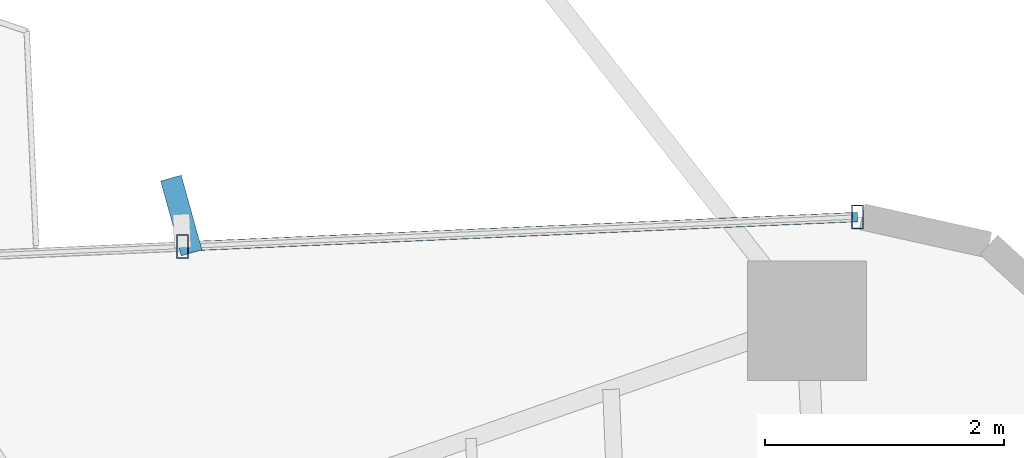
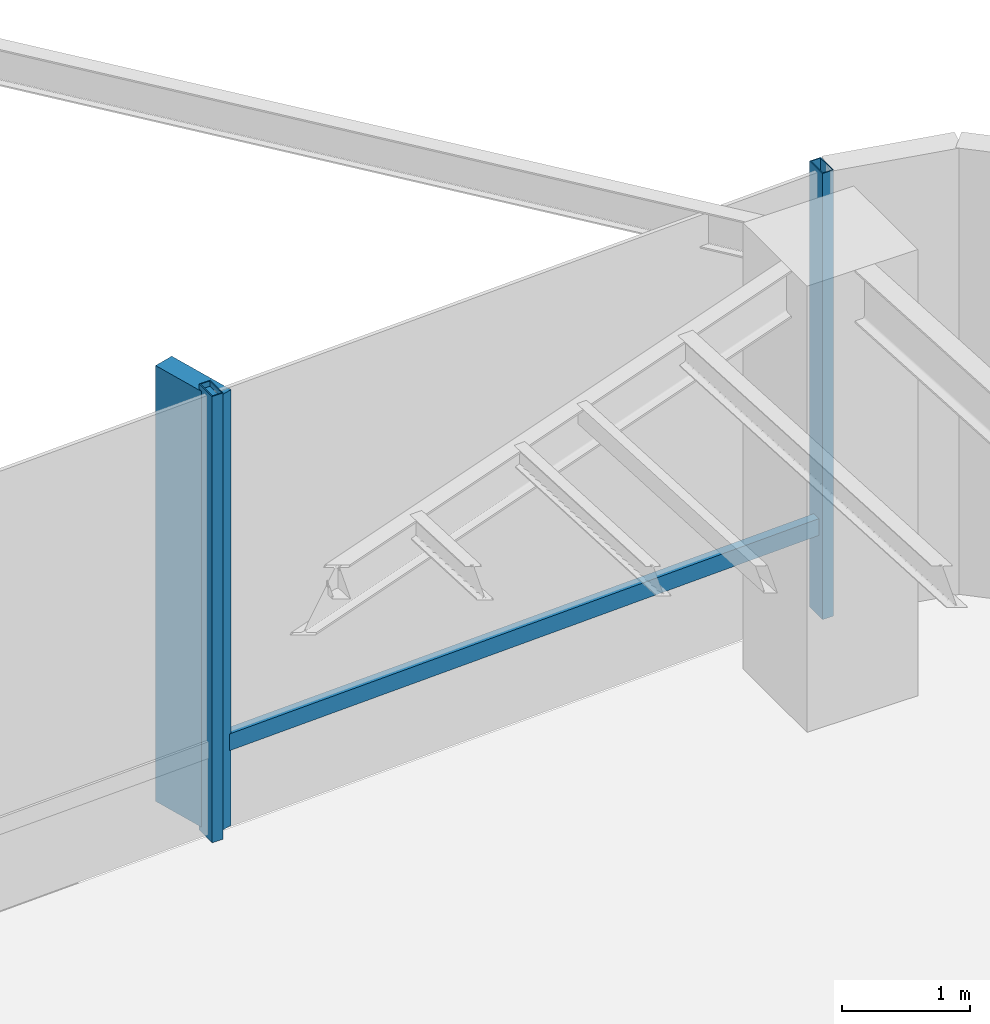
# One storey, part 14 of 21: 4 members, 1 element without a shape of its own.
"""IFC4 building model written with IfcOpenShell, lengths in metres."""

from ifc_helpers import new_model, si_unit, direction, frame, origin, origin_2d, place, context, subcontext, project, spatial, rectangle, hollow_rectangle, extrude, source, transform, mapped, material, material_profile, profile_set, type_object, element, aggregate, save


model = new_model("IFC4")

# Units and contexts
model_context = context("Model", 3, precision=1e-05, world=origin(), true_north=direction((0.0, 1.0)))
body_context = subcontext(model_context, "Body", "Model", "MODEL_VIEW")
ifc_project = project(units=[si_unit("LENGTHUNIT", "METRE"), si_unit("AREAUNIT", "SQUARE_METRE"), si_unit("VOLUMEUNIT", "CUBIC_METRE"), si_unit("PLANEANGLEUNIT", "RADIAN"), si_unit("MASSUNIT", "GRAM", prefix="KILO")], contexts=[model_context])

# Site, building, storey
site_placement = place(None, origin())
site = spatial("IfcSite", under=ifc_project, at=site_placement, CompositionType="ELEMENT")
building_placement = place(site_placement, origin())
building = spatial("IfcBuilding", under=site, at=building_placement, Name="Sahyath Konkavel Grand Hotel", CompositionType="ELEMENT")
storey_placement = place(building_placement, frame((0.0, 0.0, 79.0)))
storey = spatial("IfcBuildingStorey", under=building, at=storey_placement, Name="L21", CompositionType="ELEMENT", Elevation=79.0)

# Curtain wall, members
ifc_material_1 = material(Name="Anodised Bronze Aluminium & Low-E Glazing", Category="aluminium")
curtain_wall_type = type_object("IfcCurtainWallType", Name="CW-SKYLOBBY", PredefinedType="NOTDEFINED", material=ifc_material_1)
curtain_wall_placement = place(storey_placement, origin())
curtain_wall = element("IfcCurtainWall", 1, at=curtain_wall_placement, inside=storey, type_object=curtain_wall_type, Name="L21 Unitised Curtain Wall F7", PredefinedType="NOTDEFINED")
ifc_material_2 = material(Name="Anodised Bronze Aluminium", Category="aluminium")
ifc_material_profile_1 = material_profile(ifc_material_2, hollow_rectangle(XDim=0.10009765625, YDim=0.199951171875, WallThickness=0.008056640625, at=origin_2d()), Name="RHS 200x100x8")
ifc_profile_set_1 = profile_set([ifc_material_profile_1], Name="Anodised Bronze Aluminium")
member_type_1 = type_object("IfcMemberType", Name="CW-MUL-200", PredefinedType="MULLION", material=ifc_profile_set_1)
shared_shape_1 = source(origin(), body_context, "Body", "SweptSolid", [
    extrude(hollow_rectangle(XDim=0.10009765625, YDim=0.199951171875, WallThickness=0.008056640625, at=origin_2d()), origin(), (0.0, 0.0, 1.0), 4.260009765625),
])
member_1_placement = place(storey_placement, frame((17.655029296875, 7.377197265625, 0.0), z_axis=(0.0, 0.0, 1.0), x_axis=(1.0, 0.0, 0.0)))
member_1 = element("IfcMember", 2, at=member_1_placement, type_object=member_type_1, Name="L21 Curtain Wall Mullion F7-0", PredefinedType="MULLION", context=body_context, shape_type="MappedRepresentation", body=[
    mapped(shared_shape_1, transform((0.0, 0.0, 0.0), scale=1.0)),
])
member_2_placement = place(storey_placement, frame((12.00048828125, 7.13037109375, 0.0), z_axis=(0.0, 0.0, 1.0), x_axis=(1.0, 0.0, 0.0)))
member_2 = element("IfcMember", 3, at=member_2_placement, type_object=member_type_1, Name="L21 Curtain Wall Mullion F7-1", PredefinedType="MULLION", context=body_context, shape_type="MappedRepresentation", body=[
    mapped(shared_shape_1, transform((0.0, 0.0, 0.0), scale=1.0)),
])
ifc_material_3 = material(Name="Warm Buff Sandstone Cladding on Concrete C50/60", Category="masonry")
ifc_material_profile_2 = material_profile(ifc_material_3, rectangle(XDim=0.179931640625, YDim=0.64990234375, at=origin_2d()), Name="FIN 180x650")
ifc_profile_set_2 = profile_set([ifc_material_profile_2], Name="Warm Buff Sandstone Cladding on Concrete C50/60")
member_type_2 = type_object("IfcMemberType", Name="FIN-SANDSTONE-650", PredefinedType="MULLION", material=ifc_profile_set_2)
shared_shape_2 = source(origin(), body_context, "Body", "SweptSolid", [
    extrude(rectangle(XDim=0.179931640625, YDim=0.64990234375, at=origin_2d()), origin(), (0.0, 0.0, 1.0), 4.159912109375),
])
member_3_placement = place(storey_placement, frame((11.989013671875, 7.39013671875, 0.050048828125), z_axis=(0.0, 0.0, 1.0), x_axis=(0.963677080427, 0.267070186767, 0.0)))
member_3 = element("IfcMember", 4, at=member_3_placement, type_object=member_type_2, Name="L21 Sandstone Vertical Solar Fin FIN F7-1", PredefinedType="MULLION", context=body_context, shape_type="MappedRepresentation", body=[
    mapped(shared_shape_2, transform((0.0, 0.0, 0.0), scale=1.0)),
])
ifc_material_profile_3 = material_profile(ifc_material_2, hollow_rectangle(XDim=0.080078125, YDim=0.159912109375, WallThickness=0.006103515625, at=origin_2d()), Name="RHS 160x80x6")
ifc_profile_set_3 = profile_set([ifc_material_profile_3], Name="Anodised Bronze Aluminium")
member_type_3 = type_object("IfcMemberType", Name="CW-TRN-160", PredefinedType="USERDEFINED", material=ifc_profile_set_3)
shared_shape_3 = source(origin(), body_context, "Body", "SweptSolid", [
    extrude(hollow_rectangle(XDim=0.080078125, YDim=0.159912109375, WallThickness=0.006103515625, at=origin_2d()), origin(), (0.0, 0.0, 1.0), 5.659912109375),
])
member_4_placement = place(storey_placement, frame((17.655029296875, 7.377197265625, 0.85009765625), z_axis=(-0.999048655935, -0.043609437898, 0.0), x_axis=(0.043609437898, -0.999048655935, 0.0)))
member_4 = element("IfcMember", 5, at=member_4_placement, type_object=member_type_3, Name="L21 Curtain Wall Transom F7-0-spandrel", ObjectType="TRANSOM", PredefinedType="USERDEFINED", context=body_context, shape_type="MappedRepresentation", body=[
    mapped(shared_shape_3, transform((0.0, 0.0, 0.0), scale=1.0)),
])
aggregate(curtain_wall, [member_1, member_2, member_3, member_4])

save(model, "model.ifc")
